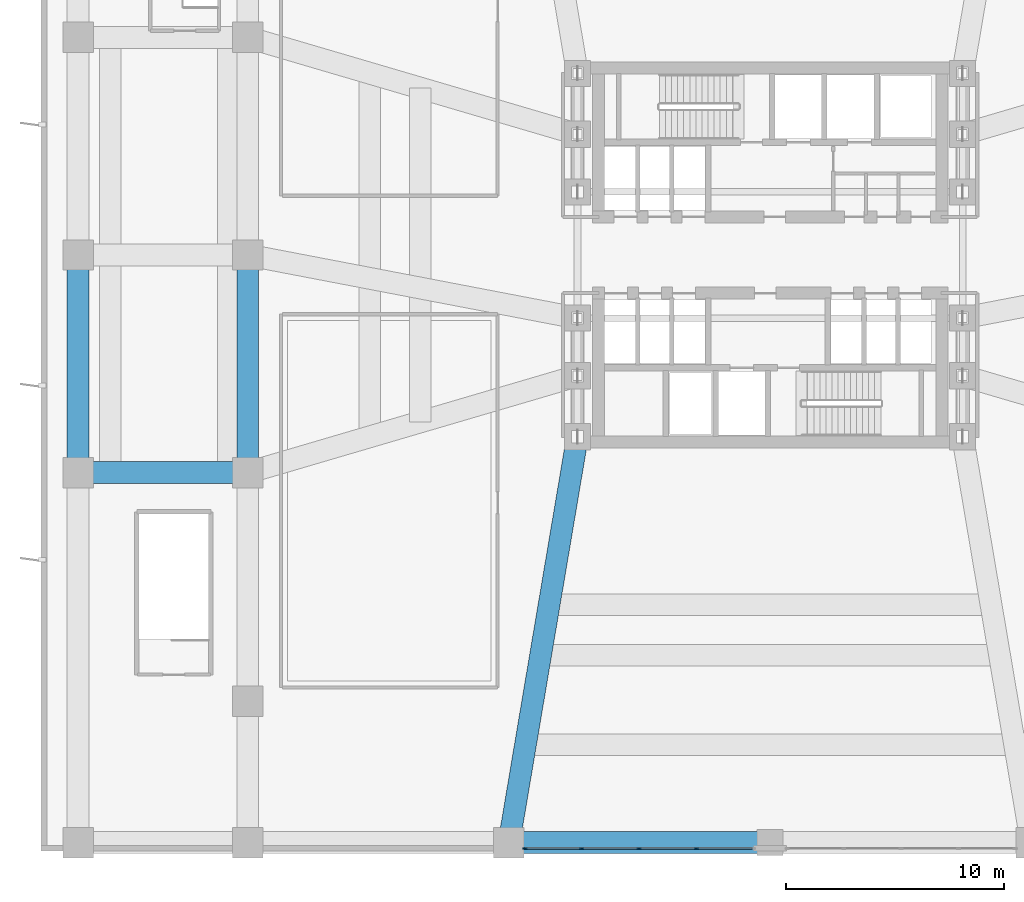
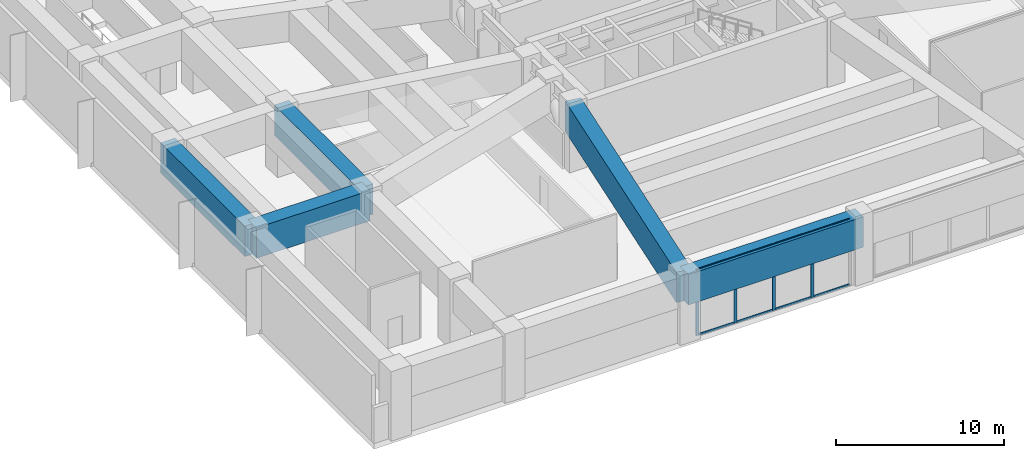
# One storey, part 2 of 14: 12 members, 5 beams, 1 element without a shape of its own.
"""IFC4 building model written with IfcOpenShell, lengths in metres."""

from ifc_helpers import new_model, si_unit, direction, frame, origin, origin_2d, place, context, subcontext, project, spatial, rectangle, extrude, material, layer, layer_set, material_profile, profile_set, type_object, element, aggregate, save


model = new_model("IFC4")

# Units and contexts
model_context = context("Model", 3, precision=1e-05, world=origin(), true_north=direction((0.0, 1.0)))
body_context = subcontext(model_context, "Body", "Model", "MODEL_VIEW")
ifc_project = project(units=[si_unit("LENGTHUNIT", "METRE"), si_unit("AREAUNIT", "SQUARE_METRE"), si_unit("VOLUMEUNIT", "CUBIC_METRE"), si_unit("PLANEANGLEUNIT", "RADIAN"), si_unit("MASSUNIT", "GRAM", prefix="KILO")], contexts=[model_context])

# Site, building, storey
site_placement = place(None, origin())
site = spatial("IfcSite", under=ifc_project, at=site_placement, CompositionType="ELEMENT")
building_placement = place(site_placement, origin())
building = spatial("IfcBuilding", under=site, at=building_placement, Name="Solmarez Civic Tower", CompositionType="ELEMENT")
storey_placement = place(building_placement, frame((0.0, 0.0, 19.43994140625)))
storey = spatial("IfcBuildingStorey", under=building, at=storey_placement, Name="L04", CompositionType="ELEMENT", Elevation=19.43994140625)

# Beams
ifc_material_1 = material(Name="Concrete C60/75", Category="concrete")
ifc_material_profile_1 = material_profile(ifc_material_1, rectangle(XDim=1.0, YDim=2.199951171875, at=origin_2d()), Name="RC1000X2200")
ifc_profile_set_1 = profile_set([ifc_material_profile_1], Name="Concrete C60/75")
beam_type = type_object("IfcBeamType", Name="BM-TG-RC1000X2200", PredefinedType="USERDEFINED", material=ifc_profile_set_1)
beam_1_placement = place(storey_placement, frame((-12.0, -27.0, 3.68017578125), z_axis=(1.0, 0.0, 0.0), x_axis=(0.0, 1.0, 0.0)))
element("IfcBeam", 1, at=beam_1_placement, inside=storey, type_object=beam_type, Name="L04 Transfer Girder BM-L04-PC03-PC26", ObjectType="TRANSFER_GIRDER", PredefinedType="USERDEFINED", context=body_context, shape_type="SweptSolid", body=[
    extrude(rectangle(XDim=1.0, YDim=2.199951171875, at=origin_2d()), origin(), (0.0, 0.0, 1.0), 12.0),
])
for number, where, z_axis, x_axis, name in (
    (2, (-31.800048828125, -10.0, 3.68017578125), (0.0, 1.0, 0.0), (-1.0, 0.0, 0.0), "L04 Transfer Girder BM-L04-PC13-PC14"),
    (3, (-24.0, -10.0, 3.68017578125), (0.0, 1.0, 0.0), (-1.0, 0.0, 0.0), "L04 Transfer Girder BM-L04-PC19-PC20"),
):
    element("IfcBeam", number, at=place(storey_placement, frame(where, z_axis=z_axis, x_axis=x_axis)), inside=storey, type_object=beam_type, Name=name, ObjectType="TRANSFER_GIRDER", PredefinedType="USERDEFINED", context=body_context, shape_type="SweptSolid", body=[
        extrude(rectangle(XDim=1.0, YDim=2.199951171875, at=origin_2d()), origin(), (0.0, 0.0, 1.0), 10.0),
    ])
beam_2_placement = place(storey_placement, frame((-31.800048828125, -10.0, 3.68017578125), z_axis=(1.0, 0.0, 0.0), x_axis=(0.0, 1.0, 0.0)))
element("IfcBeam", 4, at=beam_2_placement, inside=storey, type_object=beam_type, Name="L04 Transfer Girder BM-L04-PC13-PC19", ObjectType="TRANSFER_GIRDER", PredefinedType="USERDEFINED", context=body_context, shape_type="SweptSolid", body=[
    extrude(rectangle(XDim=1.0, YDim=2.199951171875, at=origin_2d()), origin(), (0.0, 0.0, 1.0), 7.800048828125),
])
beam_3_placement = place(storey_placement, frame((-12.0, -27.0, 3.68017578125), z_axis=(0.166537824737, 0.986035066786, 0.0), x_axis=(-0.986035066786, 0.166537824737, 0.0)))
element("IfcBeam", 5, at=beam_3_placement, inside=storey, type_object=beam_type, Name="L04 Transfer Girder BM-L04-PC03-HC12", ObjectType="TRANSFER_GIRDER", PredefinedType="USERDEFINED", context=body_context, shape_type="SweptSolid", body=[
    extrude(rectangle(XDim=1.0, YDim=2.199951171875, at=origin_2d()), origin(), (0.0, 0.0, 1.0), 18.9140625),
])

# Curtain wall, members
ifc_material_2 = material(Name="Bronze Anodised Aluminium EN AW-6063 T6", Category="aluminium")
ifc_layer = layer(ifc_material_2, 0.199951171875)
ifc_layer_set = layer_set([ifc_layer], Name="Bronze Anodised Aluminium EN AW-6063 T6")
curtain_wall_type = type_object("IfcCurtainWallType", Name="CW-SYS-1", PredefinedType="NOTDEFINED", material=ifc_layer_set)
curtain_wall_placement = place(storey_placement, origin())
curtain_wall = element("IfcCurtainWall", 6, at=curtain_wall_placement, inside=storey, type_object=curtain_wall_type, Name="L04 Podium Monumental Curtain Wall SW", PredefinedType="NOTDEFINED")
ifc_material_profile_2 = material_profile(ifc_material_2, rectangle(XDim=0.074951171875, YDim=0.199951171875, at=origin_2d()), Name="CWM-75X200")
ifc_profile_set_2 = profile_set([ifc_material_profile_2], Name="Bronze Anodised Aluminium EN AW-6063 T6")
member_type_1 = type_object("IfcMemberType", Name="CWM-TYPE-1", PredefinedType="MULLION", material=ifc_profile_set_2)
member_1_placement = place(storey_placement, frame((-3.387451171875, -27.27001953125, 0.0), z_axis=(0.0, 0.0, 1.0), x_axis=(0.0, -1.0, 0.0)))
member_1 = element("IfcMember", 7, at=member_1_placement, type_object=member_type_1, Name="CWS1 mullion 2", PredefinedType="MULLION", context=body_context, shape_type="SweptSolid", body=[
    extrude(rectangle(XDim=0.074951171875, YDim=0.199951171875, at=origin_2d()), origin(), (0.0, 0.0, 1.0), 4.780029296875),
])
member_2_placement = place(storey_placement, frame((-6.02490234375, -27.27001953125, 0.0), z_axis=(0.0, 0.0, 1.0), x_axis=(0.0, -1.0, 0.0)))
member_2 = element("IfcMember", 8, at=member_2_placement, type_object=member_type_1, Name="CWS1 mullion 3", PredefinedType="MULLION", context=body_context, shape_type="SweptSolid", body=[
    extrude(rectangle(XDim=0.074951171875, YDim=0.199951171875, at=origin_2d()), origin(), (0.0, 0.0, 1.0), 4.780029296875),
])
member_3_placement = place(storey_placement, frame((-8.66259765625, -27.27001953125, 0.0), z_axis=(0.0, 0.0, 1.0), x_axis=(0.0, -1.0, 0.0)))
member_3 = element("IfcMember", 9, at=member_3_placement, type_object=member_type_1, Name="CWS1 mullion 4", PredefinedType="MULLION", context=body_context, shape_type="SweptSolid", body=[
    extrude(rectangle(XDim=0.074951171875, YDim=0.199951171875, at=origin_2d()), origin(), (0.0, 0.0, 1.0), 4.780029296875),
])
member_4_placement = place(storey_placement, frame((-11.262451171875, -27.27001953125, 0.0), z_axis=(0.0, 0.0, 1.0), x_axis=(0.0, -1.0, 0.0)))
member_4 = element("IfcMember", 10, at=member_4_placement, type_object=member_type_1, Name="CWS1 mullion 5", PredefinedType="MULLION", context=body_context, shape_type="SweptSolid", body=[
    extrude(rectangle(XDim=0.074951171875, YDim=0.199951171875, at=origin_2d()), origin(), (0.0, 0.0, 1.0), 4.780029296875),
])
ifc_material_profile_3 = material_profile(ifc_material_2, rectangle(XDim=0.070068359375, YDim=0.139892578125, at=origin_2d()), Name="CWT-70X140")
ifc_profile_set_3 = profile_set([ifc_material_profile_3], Name="Bronze Anodised Aluminium EN AW-6063 T6")
member_type_2 = type_object("IfcMemberType", Name="CWT-TYPE-1", PredefinedType="USERDEFINED", material=ifc_profile_set_3)
member_5_placement = place(storey_placement, frame((-0.824951171875, -27.27001953125, 0.03515625), z_axis=(-1.0, 0.0, 0.0), x_axis=(0.0, -1.0, 0.0)))
member_5 = element("IfcMember", 11, at=member_5_placement, type_object=member_type_2, Name="CWS1 transom 1.1", ObjectType="TRANSOM", PredefinedType="USERDEFINED", context=body_context, shape_type="SweptSolid", body=[
    extrude(rectangle(XDim=0.070068359375, YDim=0.139892578125, at=origin_2d()), origin(), (0.0, 0.0, 1.0), 2.525146484375),
])
member_6_placement = place(storey_placement, frame((-0.824951171875, -27.27001953125, 4.7451171875), z_axis=(-1.0, 0.0, 0.0), x_axis=(0.0, -1.0, 0.0)))
member_6 = element("IfcMember", 12, at=member_6_placement, type_object=member_type_2, Name="CWS1 transom 1.2", ObjectType="TRANSOM", PredefinedType="USERDEFINED", context=body_context, shape_type="SweptSolid", body=[
    extrude(rectangle(XDim=0.070068359375, YDim=0.139892578125, at=origin_2d()), origin(), (0.0, 0.0, 1.0), 2.525146484375),
])
member_7_placement = place(storey_placement, frame((-3.425048828125, -27.27001953125, 0.03515625), z_axis=(-1.0, 0.0, 0.0), x_axis=(0.0, -1.0, 0.0)))
member_7 = element("IfcMember", 13, at=member_7_placement, type_object=member_type_2, Name="CWS1 transom 2.1", ObjectType="TRANSOM", PredefinedType="USERDEFINED", context=body_context, shape_type="SweptSolid", body=[
    extrude(rectangle(XDim=0.070068359375, YDim=0.139892578125, at=origin_2d()), origin(), (0.0, 0.0, 1.0), 2.5625),
])
member_8_placement = place(storey_placement, frame((-3.425048828125, -27.27001953125, 4.7451171875), z_axis=(-1.0, 0.0, 0.0), x_axis=(0.0, -1.0, 0.0)))
member_8 = element("IfcMember", 14, at=member_8_placement, type_object=member_type_2, Name="CWS1 transom 2.2", ObjectType="TRANSOM", PredefinedType="USERDEFINED", context=body_context, shape_type="SweptSolid", body=[
    extrude(rectangle(XDim=0.070068359375, YDim=0.139892578125, at=origin_2d()), origin(), (0.0, 0.0, 1.0), 2.5625),
])
member_9_placement = place(storey_placement, frame((-6.0625, -27.27001953125, 0.03515625), z_axis=(-1.0, 0.0, 0.0), x_axis=(0.0, -1.0, 0.0)))
member_9 = element("IfcMember", 15, at=member_9_placement, type_object=member_type_2, Name="CWS1 transom 3.1", ObjectType="TRANSOM", PredefinedType="USERDEFINED", context=body_context, shape_type="SweptSolid", body=[
    extrude(rectangle(XDim=0.070068359375, YDim=0.139892578125, at=origin_2d()), origin(), (0.0, 0.0, 1.0), 2.5625),
])
member_10_placement = place(storey_placement, frame((-6.0625, -27.27001953125, 4.7451171875), z_axis=(-1.0, 0.0, 0.0), x_axis=(0.0, -1.0, 0.0)))
member_10 = element("IfcMember", 16, at=member_10_placement, type_object=member_type_2, Name="CWS1 transom 3.2", ObjectType="TRANSOM", PredefinedType="USERDEFINED", context=body_context, shape_type="SweptSolid", body=[
    extrude(rectangle(XDim=0.070068359375, YDim=0.139892578125, at=origin_2d()), origin(), (0.0, 0.0, 1.0), 2.5625),
])
member_11_placement = place(storey_placement, frame((-8.699951171875, -27.27001953125, 0.03515625), z_axis=(-1.0, 0.0, 0.0), x_axis=(0.0, -1.0, 0.0)))
member_11 = element("IfcMember", 17, at=member_11_placement, type_object=member_type_2, Name="CWS1 transom 4.1", ObjectType="TRANSOM", PredefinedType="USERDEFINED", context=body_context, shape_type="SweptSolid", body=[
    extrude(rectangle(XDim=0.070068359375, YDim=0.139892578125, at=origin_2d()), origin(), (0.0, 0.0, 1.0), 2.525146484375),
])
member_12_placement = place(storey_placement, frame((-8.699951171875, -27.27001953125, 4.7451171875), z_axis=(-1.0, 0.0, 0.0), x_axis=(0.0, -1.0, 0.0)))
member_12 = element("IfcMember", 18, at=member_12_placement, type_object=member_type_2, Name="CWS1 transom 4.2", ObjectType="TRANSOM", PredefinedType="USERDEFINED", context=body_context, shape_type="SweptSolid", body=[
    extrude(rectangle(XDim=0.070068359375, YDim=0.139892578125, at=origin_2d()), origin(), (0.0, 0.0, 1.0), 2.525146484375),
])
aggregate(curtain_wall, [member_1, member_2, member_3, member_4, member_5, member_6, member_7, member_8, member_9, member_10, member_11, member_12])

save(model, "model.ifc")
